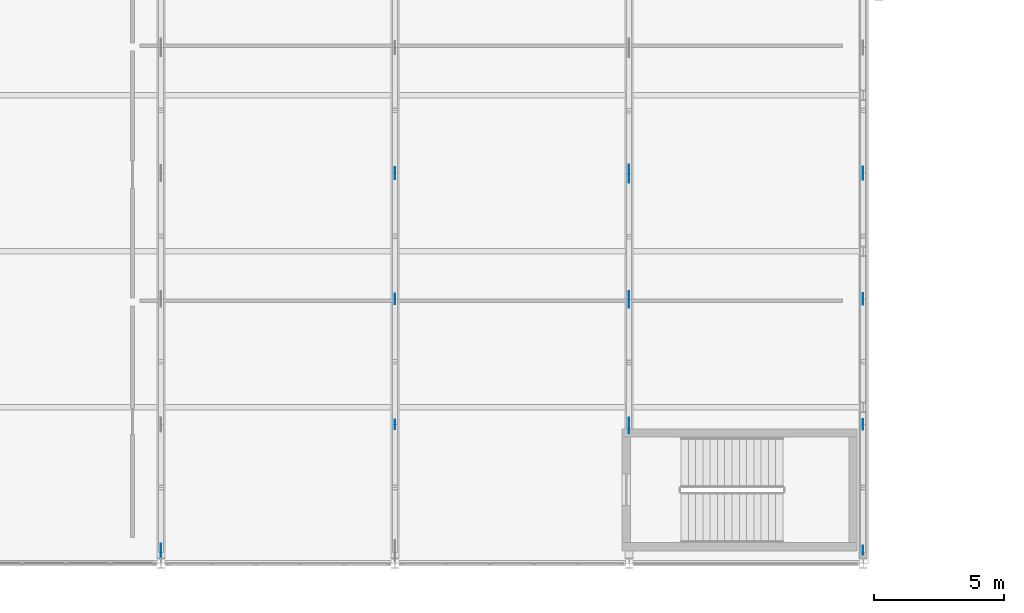
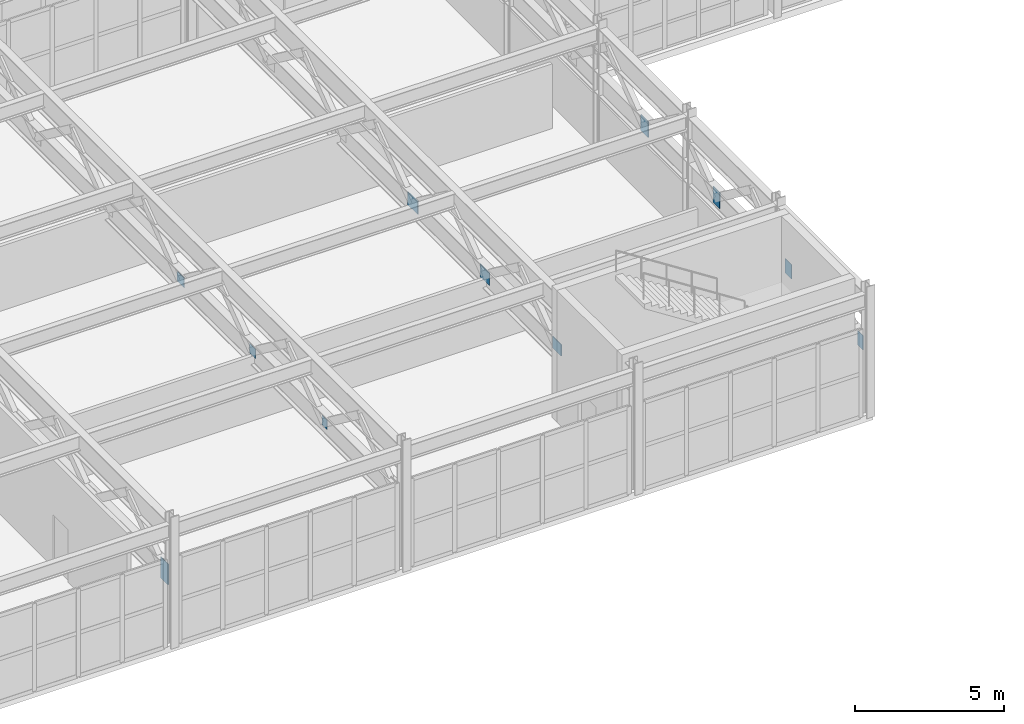
# One storey, part 152 of 210: 11 plates.
"""IFC4 building model written with IfcOpenShell, lengths in metres."""

import ifcopenshell
import ifcopenshell.guid

model = None  # the IFC model being written
_history = None  # IfcOwnerHistory: only IFC2X3 demands one
_inside = {}  # id of a spatial element -> (the spatial element, [elements in it])
_under = {}  # id of a project, library or spatial element -> (it, [spatial elements below it])
_declared = {}  # id of a project -> (the project, [libraries it declares])
_typed = {}  # id of a type object -> (the type object, [elements of that type])
_made_of = {}  # id of a material, layer set ... -> (it, [elements and type objects made of it])


def new_model(schema):
    """Start an empty IFC model of exactly this schema.

    Asked for "IFC4X3", IfcOpenShell would pick the latest addendum, in which some entities
    have other attributes; the version numbers below select the first issue.
    IFC2X3 requires an IfcOwnerHistory on every rooted entity: one is made here for all.
    """
    global model, _history
    if schema == "IFC4X3":
        model = ifcopenshell.file(schema_version=(4, 3, 0, 0))
    else:
        model = ifcopenshell.file(schema=schema)
    _inside.clear()
    _under.clear()
    _declared.clear()
    _typed.clear()
    _made_of.clear()
    _history = None
    if model.schema == "IFC2X3":
        org = make("IfcOrganization", Name="unknown")
        user = make(
            "IfcPersonAndOrganization",
            ThePerson=make("IfcPerson", FamilyName="unknown"),
            TheOrganization=org,
        )
        app = make(
            "IfcApplication",
            ApplicationDeveloper=org,
            Version="unknown",
            ApplicationFullName="unknown",
            ApplicationIdentifier="unknown",
        )
        _history = make(
            "IfcOwnerHistory",
            OwningUser=user,
            OwningApplication=app,
            ChangeAction="ADDED",
            CreationDate=0,
        )
    return model


def make(cls, **values):
    """One entity of the class cls with the attributes given. An attribute that is None is left unset."""
    return model.create_entity(
        cls, **{name: value for name, value in values.items() if value is not None}
    )


def rooted(cls, **values):
    """An entity with a GlobalId (a new one), such as an element, a storey or a relation."""
    return make(cls, GlobalId=ifcopenshell.guid.new(), OwnerHistory=_history, **values)


def si_unit(unit_type, name, prefix=None):
    """IfcSIUnit, for example si_unit("LENGTHUNIT", "METRE", prefix="MILLI")."""
    return make("IfcSIUnit", UnitType=unit_type, Prefix=prefix, Name=name)


def assignment(units):
    """IfcUnitAssignment: the units of a project."""
    return None if units is None else make("IfcUnitAssignment", Units=units)


def point(xyz):
    """IfcCartesianPoint."""
    return None if xyz is None else make("IfcCartesianPoint", Coordinates=xyz)


def direction(xyz):
    """IfcDirection."""
    return None if xyz is None else make("IfcDirection", DirectionRatios=xyz)


def frame(location, z_axis=None, x_axis=None):
    """IfcAxis2Placement3D, a coordinate frame: its origin and axes. An axis left out is left unset."""
    return make(
        "IfcAxis2Placement3D",
        Location=point(location),
        Axis=direction(z_axis),
        RefDirection=direction(x_axis),
    )


def frame_2d(location, x_axis=None):
    """IfcAxis2Placement2D, a coordinate frame in the plane: its origin and x axis."""
    return make(
        "IfcAxis2Placement2D", Location=point(location), RefDirection=direction(x_axis)
    )


def origin():
    """The frame at (0, 0, 0) with its axes left unset."""
    return frame((0.0, 0.0, 0.0))


def origin_2d():
    """The frame at (0, 0) in the plane with its x axis left unset."""
    return frame_2d((0.0, 0.0))


def place(relative_to, where):
    """IfcLocalPlacement: puts the frame where relative to a parent placement (None: the world)."""
    return make(
        "IfcLocalPlacement", PlacementRelTo=relative_to, RelativePlacement=where
    )


def context(
    kind, dimensions, precision=None, world=None, true_north=None, identifier=None
):
    """IfcGeometricRepresentationContext, for example the 3D "Model" context."""
    return make(
        "IfcGeometricRepresentationContext",
        ContextIdentifier=identifier,
        ContextType=kind,
        CoordinateSpaceDimension=dimensions,
        Precision=precision,
        WorldCoordinateSystem=world,
        TrueNorth=true_north,
    )


def subcontext(parent, identifier, kind, view, scale=None):
    """IfcGeometricRepresentationSubContext, for example "Body" below "Model"."""
    return make(
        "IfcGeometricRepresentationSubContext",
        ContextIdentifier=identifier,
        ContextType=kind,
        ParentContext=parent,
        TargetScale=scale,
        TargetView=view,
    )


def project(units=None, contexts=None):
    """IfcProject with its units and contexts."""
    return rooted(
        "IfcProject",
        Name="project",
        RepresentationContexts=contexts,
        UnitsInContext=assignment(units),
    )


def spatial(cls, under=None, at=None, **own):
    """A site, building, storey or space (cls), placed at a placement, below another one or the project."""
    s = rooted(cls, ObjectPlacement=at, **own)
    if under is not None:
        _under.setdefault(under.id(), (under, []))[1].append(s)
    return s


def profile(cls, at=None, kind="AREA", **sizes):
    """A parametric profile (cls). Its sizes go by their IFC names, for example OverallWidth=200.0."""
    return make(cls, ProfileType=kind, Position=at, **sizes)


def rectangle(**sizes):
    """IfcRectangleProfileDef."""
    return profile("IfcRectangleProfileDef", **sizes)


def extrude(swept, where, along, depth):
    """IfcExtrudedAreaSolid: the profile swept, set in the frame where, extruded along a direction by depth."""
    return make(
        "IfcExtrudedAreaSolid",
        SweptArea=swept,
        Position=where,
        ExtrudedDirection=direction(along),
        Depth=depth,
    )


def shape(context_of_items, identifier, shape_type, items):
    """IfcShapeRepresentation: the items that make up one representation, for example the "Body"."""
    return make(
        "IfcShapeRepresentation",
        ContextOfItems=context_of_items,
        RepresentationIdentifier=identifier,
        RepresentationType=shape_type,
        Items=items,
    )


def material(Name=None, Category=None):
    """IfcMaterial."""
    return make("IfcMaterial", Name=Name, Category=Category)


def made_of(thing, what):
    """Note that an element or type object is made of a material, layer set ...; save() writes the relation."""
    if what is not None:
        _made_of.setdefault(what.id(), (what, []))[1].append(thing)
    return thing


def type_object(cls, material=None, **own):
    """A type object (cls), such as IfcWallType, which elements share."""
    return made_of(rooted(cls, **own), material)


def element(
    cls,
    number,
    at=None,
    inside=None,
    cuts=None,
    type_object=None,
    material=None,
    context=None,
    identifier="Body",
    shape_type=None,
    held_by="IfcProductDefinitionShape",
    body=None,
    shapes=None,
    **own,
):
    """One element of the class cls, such as IfcWall. Its Tag is "e" and its number.

    at: its placement. inside: the storey or other place that contains it. cuts: it is an
    opening in that element (IfcRelVoidsElement). A single representation is given by context,
    identifier, shape_type and body (its items); several are given by shapes. held_by: the class
    of the entity that holds the representations. save() writes the other relations.
    """
    e = rooted(cls, Tag="e%d" % number, ObjectPlacement=at, **own)
    if body is not None:
        shapes = [shape(context, identifier, shape_type, body)]
    if shapes is not None:
        e.Representation = make(held_by, Representations=shapes)
    if inside is not None:
        _inside.setdefault(inside.id(), (inside, []))[1].append(e)
    if cuts is not None:
        rooted(
            "IfcRelVoidsElement", RelatingBuildingElement=cuts, RelatedOpeningElement=e
        )
    if type_object is not None:
        _typed.setdefault(type_object.id(), (type_object, []))[1].append(e)
    return made_of(e, material)


def aggregate(whole, parts):
    """IfcRelAggregates: a whole, such as a stair, and the parts it consists of."""
    return rooted("IfcRelAggregates", RelatingObject=whole, RelatedObjects=parts)


def save(model, path):
    """Write the relations noted so far, then the file.

    IfcRelAggregates (storeys below a building ...), IfcRelContainedInSpatialStructure (elements
    in a storey), IfcRelDefinesByType, IfcRelAssociatesMaterial and IfcRelDeclares: one each for
    every whole, place, type object, material and project.
    """
    for whole, parts in _under.values():
        aggregate(whole, parts)
    for where, things in _inside.values():
        rooted(
            "IfcRelContainedInSpatialStructure",
            RelatedElements=things,
            RelatingStructure=where,
        )
    for kind, things in _typed.values():
        rooted("IfcRelDefinesByType", RelatedObjects=things, RelatingType=kind)
    for what, things in _made_of.values():
        rooted("IfcRelAssociatesMaterial", RelatedObjects=things, RelatingMaterial=what)
    for by, libraries in _declared.values():
        rooted("IfcRelDeclares", RelatingContext=by, RelatedDefinitions=libraries)
    model.write(path)


model = new_model("IFC4")

# Units and contexts
model_context = context("Model", 3, precision=1e-05, world=origin(), true_north=direction((0.0, 1.0)))
body_context = subcontext(model_context, "Body", "Model", "MODEL_VIEW")
ifc_project = project(units=[si_unit("LENGTHUNIT", "METRE"), si_unit("AREAUNIT", "SQUARE_METRE"), si_unit("VOLUMEUNIT", "CUBIC_METRE"), si_unit("PLANEANGLEUNIT", "RADIAN"), si_unit("MASSUNIT", "GRAM", prefix="KILO")], contexts=[model_context])

# Site, building, storey
site_placement = place(None, origin())
site = spatial("IfcSite", under=ifc_project, at=site_placement, CompositionType="ELEMENT")
building_placement = place(site_placement, origin())
building = spatial("IfcBuilding", under=site, at=building_placement, Name="Kaldris Quays Convention Centre", CompositionType="ELEMENT")
storey_placement = place(building_placement, frame((0.0, 0.0, 6.0)))
storey = spatial("IfcBuildingStorey", under=building, at=storey_placement, Name="L01", CompositionType="ELEMENT", Elevation=6.0)

# Plates
ifc_material = material(Name="Steel S355J2", Category="steel")
plate_type_1 = type_object("IfcPlateType", Name="GUSSET PLATE GP01", PredefinedType="USERDEFINED", material=ifc_material)
plate_1_placement = place(storey_placement, frame((65.0, 21.333251953125, 2.550048828125), z_axis=(0.0, 0.0, 1.0), x_axis=(1.0, 0.0, 0.0)))
element("IfcPlate", 1, at=plate_1_placement, inside=storey, type_object=plate_type_1, Name="Transfer Truss Gusset Plate GP01 31", ObjectType="GUSSET PLATE", PredefinedType="USERDEFINED", context=body_context, shape_type="SweptSolid", body=[
    extrude(rectangle(XDim=0.01806640625, YDim=0.360107421875, at=origin_2d()), origin(), (0.0, 0.0, 1.0), 0.39990234375),
])
plate_type_2 = type_object("IfcPlateType", Name="GUSSET PLATE GP02", PredefinedType="USERDEFINED", material=ifc_material)
plate_2_placement = place(storey_placement, frame((65.0, 26.166748046875, 2.550048828125), z_axis=(0.0, 0.0, 1.0), x_axis=(1.0, 0.0, 0.0)))
element("IfcPlate", 2, at=plate_2_placement, inside=storey, type_object=plate_type_2, Name="Transfer Truss Gusset Plate GP02 32", ObjectType="GUSSET PLATE", PredefinedType="USERDEFINED", context=body_context, shape_type="SweptSolid", body=[
    extrude(rectangle(XDim=0.02001953125, YDim=0.405029296875, at=origin_2d()), origin(), (0.0, 0.0, 1.0), 0.39990234375),
])
plate_type_3 = type_object("IfcPlateType", Name="GUSSET PLATE GP03", PredefinedType="USERDEFINED", material=ifc_material)
plate_3_placement = place(storey_placement, frame((65.0, 31.0, 2.550048828125), z_axis=(0.0, 0.0, 1.0), x_axis=(1.0, 0.0, 0.0)))
element("IfcPlate", 3, at=plate_3_placement, inside=storey, type_object=plate_type_3, Name="Transfer Truss Gusset Plate GP03 33", ObjectType="GUSSET PLATE", PredefinedType="USERDEFINED", context=body_context, shape_type="SweptSolid", body=[
    extrude(rectangle(XDim=0.02197265625, YDim=0.449951171875, at=origin_2d()), origin(), (0.0, 0.0, 1.0), 0.39990234375),
])
plate_type_4 = type_object("IfcPlateType", Name="GUSSET PLATE GP06", PredefinedType="USERDEFINED", material=ifc_material)
plate_4_placement = place(storey_placement, frame((74.0, 21.300048828125, 2.517578125), z_axis=(0.0, 0.0, 1.0), x_axis=(1.0, 0.0, 0.0)))
element("IfcPlate", 4, at=plate_4_placement, inside=storey, type_object=plate_type_4, Name="Transfer Truss Gusset Plate GP06 36", ObjectType="GUSSET PLATE", PredefinedType="USERDEFINED", context=body_context, shape_type="SweptSolid", body=[
    extrude(rectangle(XDim=0.028076171875, YDim=0.5849609375, at=origin_2d()), origin(), (0.0, 0.0, 1.0), 0.465087890625),
])
plate_type_5 = type_object("IfcPlateType", Name="GUSSET PLATE GP07", PredefinedType="USERDEFINED", material=ifc_material)
plate_5_placement = place(storey_placement, frame((74.0, 26.139892578125, 2.48486328125), z_axis=(0.0, 0.0, 1.0), x_axis=(1.0, 0.0, 0.0)))
element("IfcPlate", 5, at=plate_5_placement, inside=storey, type_object=plate_type_5, Name="Transfer Truss Gusset Plate GP07 37", ObjectType="GUSSET PLATE", PredefinedType="USERDEFINED", context=body_context, shape_type="SweptSolid", body=[
    extrude(rectangle(XDim=0.030029296875, YDim=0.6298828125, at=origin_2d()), origin(), (0.0, 0.0, 1.0), 0.530029296875),
])
plate_type_6 = type_object("IfcPlateType", Name="GUSSET PLATE GP08", PredefinedType="USERDEFINED", material=ifc_material)
plate_6_placement = place(storey_placement, frame((74.0, 30.97998046875, 2.48486328125), z_axis=(0.0, 0.0, 1.0), x_axis=(1.0, 0.0, 0.0)))
element("IfcPlate", 6, at=plate_6_placement, inside=storey, type_object=plate_type_6, Name="Transfer Truss Gusset Plate GP08 38", ObjectType="GUSSET PLATE", PredefinedType="USERDEFINED", context=body_context, shape_type="SweptSolid", body=[
    extrude(rectangle(XDim=0.031982421875, YDim=0.675048828125, at=origin_2d()), origin(), (0.0, 0.0, 1.0), 0.530029296875),
])
plate_type_7 = type_object("IfcPlateType", Name="GUSSET PLATE GP11", PredefinedType="USERDEFINED", material=ifc_material)
plate_7_placement = place(storey_placement, frame((83.0, 16.5, 2.45263671875), z_axis=(0.0, 0.0, 1.0), x_axis=(1.0, 0.0, 0.0)))
element("IfcPlate", 7, at=plate_7_placement, inside=storey, type_object=plate_type_7, Name="Transfer Truss Gusset Plate GP11 41", ObjectType="GUSSET PLATE", PredefinedType="USERDEFINED", context=body_context, shape_type="SweptSolid", body=[
    extrude(rectangle(XDim=0.02197265625, YDim=0.360107421875, at=origin_2d()), origin(), (0.0, 0.0, 1.0), 0.594970703125),
])
plate_type_8 = type_object("IfcPlateType", Name="GUSSET PLATE GP12", PredefinedType="USERDEFINED", material=ifc_material)
plate_8_placement = place(storey_placement, frame((83.0, 21.333251953125, 2.45263671875), z_axis=(0.0, 0.0, 1.0), x_axis=(1.0, 0.0, 0.0)))
element("IfcPlate", 8, at=plate_8_placement, inside=storey, type_object=plate_type_8, Name="Transfer Truss Gusset Plate GP12 42", ObjectType="GUSSET PLATE", PredefinedType="USERDEFINED", context=body_context, shape_type="SweptSolid", body=[
    extrude(rectangle(XDim=0.02392578125, YDim=0.405029296875, at=origin_2d()), origin(), (0.0, 0.0, 1.0), 0.594970703125),
])
plate_type_9 = type_object("IfcPlateType", Name="GUSSET PLATE GP13", PredefinedType="USERDEFINED", material=ifc_material)
plate_9_placement = place(storey_placement, frame((83.0, 26.166748046875, 2.419921875), z_axis=(0.0, 0.0, 1.0), x_axis=(1.0, 0.0, 0.0)))
element("IfcPlate", 9, at=plate_9_placement, inside=storey, type_object=plate_type_9, Name="Transfer Truss Gusset Plate GP13 43", ObjectType="GUSSET PLATE", PredefinedType="USERDEFINED", context=body_context, shape_type="SweptSolid", body=[
    extrude(rectangle(XDim=0.02587890625, YDim=0.449951171875, at=origin_2d()), origin(), (0.0, 0.0, 1.0), 0.659912109375),
])
plate_type_10 = type_object("IfcPlateType", Name="GUSSET PLATE GP14", PredefinedType="USERDEFINED", material=ifc_material)
plate_10_placement = place(storey_placement, frame((83.0, 31.0, 2.419921875), z_axis=(0.0, 0.0, 1.0), x_axis=(1.0, 0.0, 0.0)))
element("IfcPlate", 10, at=plate_10_placement, inside=storey, type_object=plate_type_10, Name="Transfer Truss Gusset Plate GP14 44", ObjectType="GUSSET PLATE", PredefinedType="USERDEFINED", context=body_context, shape_type="SweptSolid", body=[
    extrude(rectangle(XDim=0.028076171875, YDim=0.4951171875, at=origin_2d()), origin(), (0.0, 0.0, 1.0), 0.659912109375),
])
plate_type_11 = type_object("IfcPlateType", Name="GUSSET PLATE GP24", PredefinedType="USERDEFINED", material=ifc_material)
plate_11_placement = place(storey_placement, frame((56.0, 16.5, 2.322509765625), z_axis=(0.0, 0.0, 1.0), x_axis=(1.0, 0.0, 0.0)))
element("IfcPlate", 11, at=plate_11_placement, inside=storey, type_object=plate_type_11, Name="Transfer Truss Gusset Plate GP24 24", ObjectType="GUSSET PLATE", PredefinedType="USERDEFINED", context=body_context, shape_type="SweptSolid", body=[
    extrude(rectangle(XDim=0.031982421875, YDim=0.4951171875, at=origin_2d()), origin(), (0.0, 0.0, 1.0), 0.85498046875),
])

save(model, "model.ifc")
